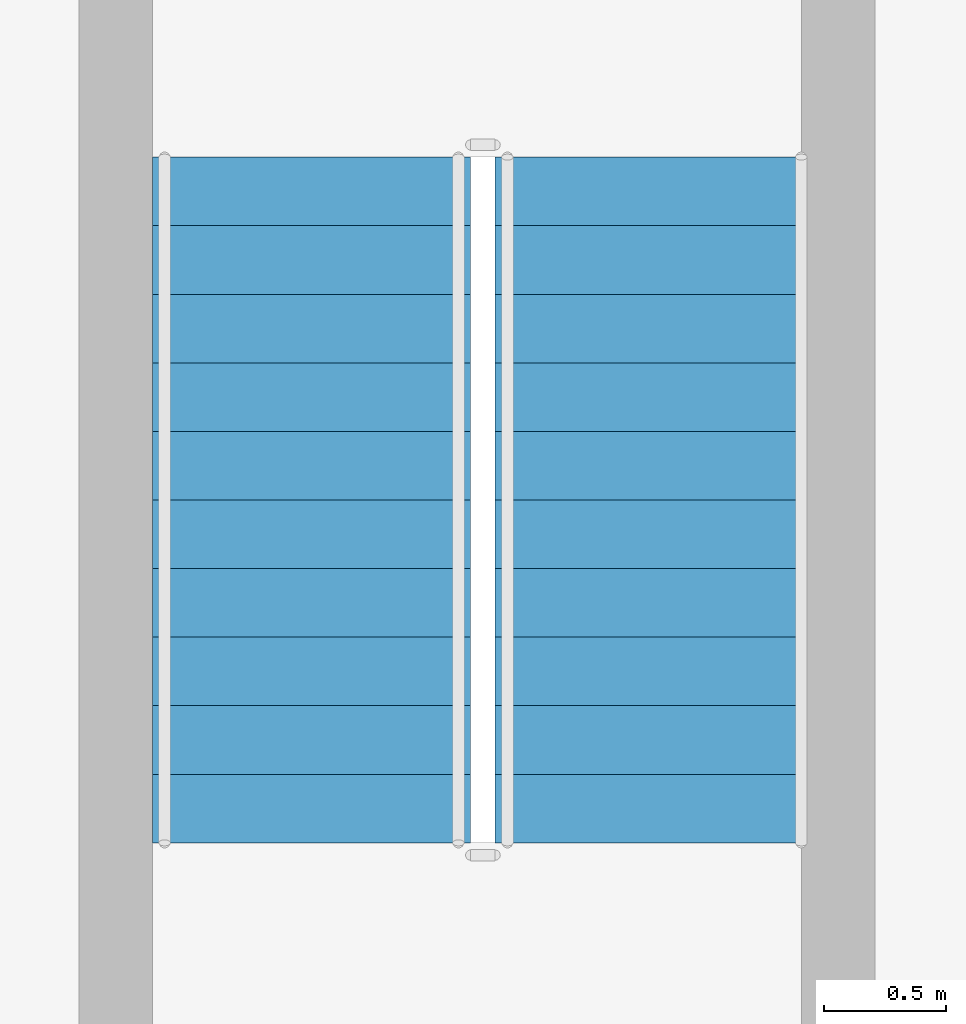
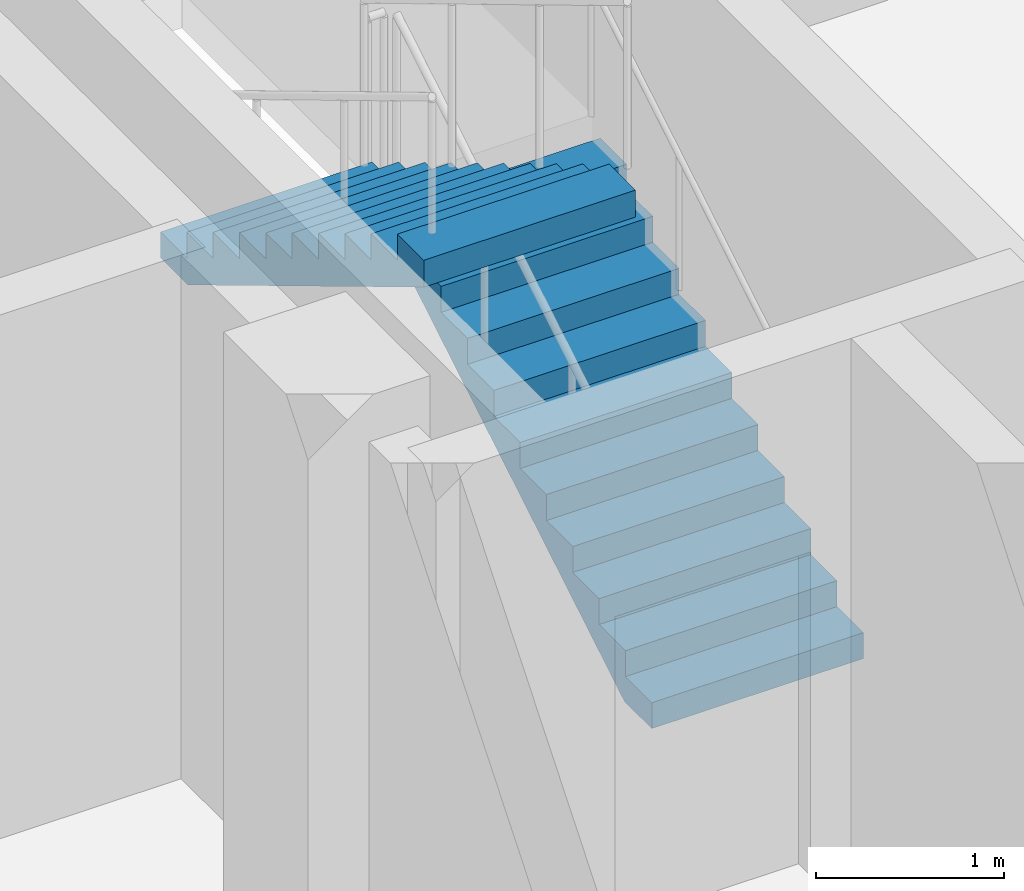
# One storey, part 16 of 21: 2 stair flights, 1 element without a shape of its own.
"""IFC4 building model written with IfcOpenShell, lengths in metres."""

from ifc_helpers import new_model, si_unit, direction, frame, origin, place, context, subcontext, project, spatial, triangles, source, transform, mapped, material, type_object, element, aggregate, save


model = new_model("IFC4")

# Units and contexts
model_context = context("Model", 3, precision=1e-05, world=origin(), true_north=direction((0.0, 1.0)))
body_context = subcontext(model_context, "Body", "Model", "MODEL_VIEW")
ifc_project = project(units=[si_unit("LENGTHUNIT", "METRE"), si_unit("AREAUNIT", "SQUARE_METRE"), si_unit("VOLUMEUNIT", "CUBIC_METRE"), si_unit("PLANEANGLEUNIT", "RADIAN"), si_unit("MASSUNIT", "GRAM", prefix="KILO")], contexts=[model_context])

# Site, building, storey
site_placement = place(None, origin())
site = spatial("IfcSite", under=ifc_project, at=site_placement, CompositionType="ELEMENT")
building_placement = place(site_placement, origin())
building = spatial("IfcBuilding", under=site, at=building_placement, Name="Ogive Portal Towers", CompositionType="ELEMENT")
storey_placement = place(building_placement, frame((0.0, 0.0, 157.0)))
storey = spatial("IfcBuildingStorey", under=building, at=storey_placement, Name="L38", CompositionType="ELEMENT", Elevation=157.0)

# Stair, stair flights
ifc_material = material(Name="Concrete C40/50", Category="concrete")
stair_type = type_object("IfcStairType", Name="INT-STAIR", PredefinedType="HALF_TURN_STAIR", material=ifc_material)
stair_placement = place(storey_placement, origin())
stair = element("IfcStair", 1, at=stair_placement, inside=storey, type_object=stair_type, Name="L38 Exit Stair ST-A3", PredefinedType="HALF_TURN_STAIR")
stair_flight_type = type_object("IfcStairFlightType", Name="INT-FLIGHT", PredefinedType="STRAIGHT", material=ifc_material)
shared_shape = source(origin(), body_context, "Body", "Tessellation", [
    triangles([(0.0, -0.650146484375, 0.0), (0.0, -0.376220703125, 0.0), (0.0, -0.192626953125, 0.0), (0.0, -0.081298828125, 0.0), (0.0, -0.024169921875, 0.0), (0.0, -0.003173828125, 0.0), (0.0, 0.0, 0.0), (0.0, 0.0029296875, 0.0), (0.0, 0.02392578125, 0.0), (0.0, 0.0810546875, 0.0), (0.0, 0.1923828125, 0.0), (0.0, 0.3759765625, 0.0), (0.0, 0.64990234375, 0.0), (0.0, -0.650146484375, 0.168212890625), (0.0, -0.376220703125, 0.168212890625), (0.0, -0.192626953125, 0.168212890625), (0.0, -0.081298828125, 0.168212890625), (0.0, -0.024169921875, 0.168212890625), (0.0, -0.003173828125, 0.168212890625), (0.0, 0.0, 0.168212890625), (0.0, 0.0029296875, 0.168212890625), (0.0, 0.02392578125, 0.168212890625), (0.0, 0.0810546875, 0.168212890625), (0.0, 0.1923828125, 0.168212890625), (0.0, 0.3759765625, 0.168212890625), (0.0, 0.64990234375, 0.168212890625), (0.280029296875, -0.650146484375, 0.168212890625), (0.280029296875, -0.376220703125, 0.168212890625), (0.280029296875, -0.192626953125, 0.168212890625), (0.280029296875, -0.081298828125, 0.168212890625), (0.280029296875, -0.024169921875, 0.168212890625), (0.280029296875, -0.003173828125, 0.168212890625), (0.280029296875, 0.0, 0.168212890625), (0.280029296875, 0.0029296875, 0.168212890625), (0.280029296875, 0.02392578125, 0.168212890625), (0.280029296875, 0.0810546875, 0.168212890625), (0.280029296875, 0.1923828125, 0.168212890625), (0.280029296875, 0.3759765625, 0.168212890625), (0.280029296875, 0.64990234375, 0.168212890625), (0.280029296875, -0.650146484375, 0.33642578125), (0.280029296875, -0.376220703125, 0.33642578125), (0.280029296875, -0.192626953125, 0.33642578125), (0.280029296875, -0.081298828125, 0.33642578125), (0.280029296875, -0.024169921875, 0.33642578125), (0.280029296875, -0.003173828125, 0.33642578125), (0.280029296875, 0.0, 0.33642578125), (0.280029296875, 0.0029296875, 0.33642578125), (0.280029296875, 0.02392578125, 0.33642578125), (0.280029296875, 0.0810546875, 0.33642578125), (0.280029296875, 0.1923828125, 0.33642578125), (0.280029296875, 0.3759765625, 0.33642578125), (0.280029296875, 0.64990234375, 0.33642578125), (0.56005859375, -0.650146484375, 0.33642578125), (0.56005859375, -0.376220703125, 0.33642578125), (0.56005859375, -0.192626953125, 0.33642578125), (0.56005859375, -0.081298828125, 0.33642578125), (0.56005859375, -0.024169921875, 0.33642578125), (0.56005859375, -0.003173828125, 0.33642578125), (0.56005859375, 0.0, 0.33642578125), (0.56005859375, 0.0029296875, 0.33642578125), (0.56005859375, 0.02392578125, 0.33642578125), (0.56005859375, 0.0810546875, 0.33642578125), (0.56005859375, 0.1923828125, 0.33642578125), (0.56005859375, 0.3759765625, 0.33642578125), (0.56005859375, 0.64990234375, 0.33642578125), (0.56005859375, -0.650146484375, 0.504638671875), (0.56005859375, -0.376220703125, 0.504638671875), (0.56005859375, -0.192626953125, 0.504638671875), (0.56005859375, -0.081298828125, 0.504638671875), (0.56005859375, -0.024169921875, 0.504638671875), (0.56005859375, -0.003173828125, 0.504638671875), (0.56005859375, 0.0, 0.504638671875), (0.56005859375, 0.0029296875, 0.504638671875), (0.56005859375, 0.02392578125, 0.504638671875), (0.56005859375, 0.0810546875, 0.504638671875), (0.56005859375, 0.1923828125, 0.504638671875), (0.56005859375, 0.3759765625, 0.504638671875), (0.56005859375, 0.64990234375, 0.504638671875), (0.840087890625, -0.650146484375, 0.504638671875), (0.840087890625, -0.376220703125, 0.504638671875), (0.840087890625, -0.192626953125, 0.504638671875), (0.840087890625, -0.081298828125, 0.504638671875), (0.840087890625, -0.024169921875, 0.504638671875), (0.840087890625, -0.003173828125, 0.504638671875), (0.840087890625, 0.0, 0.504638671875), (0.840087890625, 0.0029296875, 0.504638671875), (0.840087890625, 0.02392578125, 0.504638671875), (0.840087890625, 0.0810546875, 0.504638671875), (0.840087890625, 0.1923828125, 0.504638671875), (0.840087890625, 0.3759765625, 0.504638671875), (0.840087890625, 0.64990234375, 0.504638671875), (0.840087890625, -0.650146484375, 0.672607421875), (0.840087890625, -0.376220703125, 0.672607421875), (0.840087890625, -0.192626953125, 0.672607421875), (0.840087890625, -0.081298828125, 0.672607421875), (0.840087890625, -0.024169921875, 0.672607421875), (0.840087890625, -0.003173828125, 0.672607421875), (0.840087890625, 0.0, 0.672607421875), (0.840087890625, 0.0029296875, 0.672607421875), (0.840087890625, 0.02392578125, 0.672607421875), (0.840087890625, 0.0810546875, 0.672607421875), (0.840087890625, 0.1923828125, 0.672607421875), (0.840087890625, 0.3759765625, 0.672607421875), (0.840087890625, 0.64990234375, 0.672607421875), (1.1201171875, -0.650146484375, 0.672607421875), (1.1201171875, -0.376220703125, 0.672607421875), (1.1201171875, -0.192626953125, 0.672607421875), (1.1201171875, -0.081298828125, 0.672607421875), (1.1201171875, -0.024169921875, 0.672607421875), (1.1201171875, -0.003173828125, 0.672607421875), (1.1201171875, 0.0, 0.672607421875), (1.1201171875, 0.0029296875, 0.672607421875), (1.1201171875, 0.02392578125, 0.672607421875), (1.1201171875, 0.0810546875, 0.672607421875), (1.1201171875, 0.1923828125, 0.672607421875), (1.1201171875, 0.3759765625, 0.672607421875), (1.1201171875, 0.64990234375, 0.672607421875), (1.1201171875, -0.650146484375, 0.8408203125), (1.1201171875, -0.376220703125, 0.8408203125), (1.1201171875, -0.192626953125, 0.8408203125), (1.1201171875, -0.081298828125, 0.8408203125), (1.1201171875, -0.024169921875, 0.8408203125), (1.1201171875, -0.003173828125, 0.8408203125), (1.1201171875, 0.0, 0.8408203125), (1.1201171875, 0.0029296875, 0.8408203125), (1.1201171875, 0.02392578125, 0.8408203125), (1.1201171875, 0.0810546875, 0.8408203125), (1.1201171875, 0.1923828125, 0.8408203125), (1.1201171875, 0.3759765625, 0.8408203125), (1.1201171875, 0.64990234375, 0.8408203125), (1.39990234375, -0.650146484375, 0.8408203125), (1.39990234375, -0.376220703125, 0.8408203125), (1.39990234375, -0.192626953125, 0.8408203125), (1.39990234375, -0.081298828125, 0.8408203125), (1.39990234375, -0.024169921875, 0.8408203125), (1.39990234375, -0.003173828125, 0.8408203125), (1.39990234375, 0.0, 0.8408203125), (1.39990234375, 0.0029296875, 0.8408203125), (1.39990234375, 0.02392578125, 0.8408203125), (1.39990234375, 0.0810546875, 0.8408203125), (1.39990234375, 0.1923828125, 0.8408203125), (1.39990234375, 0.3759765625, 0.8408203125), (1.39990234375, 0.64990234375, 0.8408203125), (1.39990234375, -0.650146484375, 1.009033203125), (1.39990234375, -0.376220703125, 1.009033203125), (1.39990234375, -0.192626953125, 1.009033203125), (1.39990234375, -0.081298828125, 1.009033203125), (1.39990234375, -0.024169921875, 1.009033203125), (1.39990234375, -0.003173828125, 1.009033203125), (1.39990234375, 0.0, 1.009033203125), (1.39990234375, 0.0029296875, 1.009033203125), (1.39990234375, 0.02392578125, 1.009033203125), (1.39990234375, 0.0810546875, 1.009033203125), (1.39990234375, 0.1923828125, 1.009033203125), (1.39990234375, 0.3759765625, 1.009033203125), (1.39990234375, 0.64990234375, 1.009033203125), (1.679931640625, -0.650146484375, 1.009033203125), (1.679931640625, -0.376220703125, 1.009033203125), (1.679931640625, -0.192626953125, 1.009033203125), (1.679931640625, -0.081298828125, 1.009033203125), (1.679931640625, -0.024169921875, 1.009033203125), (1.679931640625, -0.003173828125, 1.009033203125), (1.679931640625, 0.0, 1.009033203125), (1.679931640625, 0.0029296875, 1.009033203125), (1.679931640625, 0.02392578125, 1.009033203125), (1.679931640625, 0.0810546875, 1.009033203125), (1.679931640625, 0.1923828125, 1.009033203125), (1.679931640625, 0.3759765625, 1.009033203125), (1.679931640625, 0.64990234375, 1.009033203125), (1.679931640625, -0.650146484375, 1.17724609375), (1.679931640625, -0.376220703125, 1.17724609375), (1.679931640625, -0.192626953125, 1.17724609375), (1.679931640625, -0.081298828125, 1.17724609375), (1.679931640625, -0.024169921875, 1.17724609375), (1.679931640625, -0.003173828125, 1.17724609375), (1.679931640625, 0.0, 1.17724609375), (1.679931640625, 0.0029296875, 1.17724609375), (1.679931640625, 0.02392578125, 1.17724609375), (1.679931640625, 0.0810546875, 1.17724609375), (1.679931640625, 0.1923828125, 1.17724609375), (1.679931640625, 0.3759765625, 1.17724609375), (1.679931640625, 0.64990234375, 1.17724609375), (1.9599609375, -0.650146484375, 1.17724609375), (1.9599609375, -0.376220703125, 1.17724609375), (1.9599609375, -0.192626953125, 1.17724609375), (1.9599609375, -0.081298828125, 1.17724609375), (1.9599609375, -0.024169921875, 1.17724609375), (1.9599609375, -0.003173828125, 1.17724609375), (1.9599609375, 0.0, 1.17724609375), (1.9599609375, 0.0029296875, 1.17724609375), (1.9599609375, 0.02392578125, 1.17724609375), (1.9599609375, 0.0810546875, 1.17724609375), (1.9599609375, 0.1923828125, 1.17724609375), (1.9599609375, 0.3759765625, 1.17724609375), (1.9599609375, 0.64990234375, 1.17724609375), (1.9599609375, -0.650146484375, 1.345458984375), (1.9599609375, -0.376220703125, 1.345458984375), (1.9599609375, -0.192626953125, 1.345458984375), (1.9599609375, -0.081298828125, 1.345458984375), (1.9599609375, -0.024169921875, 1.345458984375), (1.9599609375, -0.003173828125, 1.345458984375), (1.9599609375, 0.0, 1.345458984375), (1.9599609375, 0.0029296875, 1.345458984375), (1.9599609375, 0.02392578125, 1.345458984375), (1.9599609375, 0.0810546875, 1.345458984375), (1.9599609375, 0.1923828125, 1.345458984375), (1.9599609375, 0.3759765625, 1.345458984375), (1.9599609375, 0.64990234375, 1.345458984375), (2.239990234375, -0.650146484375, 1.345458984375), (2.239990234375, -0.376220703125, 1.345458984375), (2.239990234375, -0.192626953125, 1.345458984375), (2.239990234375, -0.081298828125, 1.345458984375), (2.239990234375, -0.024169921875, 1.345458984375), (2.239990234375, -0.003173828125, 1.345458984375), (2.239990234375, 0.0, 1.345458984375), (2.239990234375, 0.0029296875, 1.345458984375), (2.239990234375, 0.02392578125, 1.345458984375), (2.239990234375, 0.0810546875, 1.345458984375), (2.239990234375, 0.1923828125, 1.345458984375), (2.239990234375, 0.3759765625, 1.345458984375), (2.239990234375, 0.64990234375, 1.345458984375), (2.239990234375, -0.650146484375, 1.513671875), (2.239990234375, -0.376220703125, 1.513671875), (2.239990234375, -0.192626953125, 1.513671875), (2.239990234375, -0.081298828125, 1.513671875), (2.239990234375, -0.024169921875, 1.513671875), (2.239990234375, -0.003173828125, 1.513671875), (2.239990234375, 0.0, 1.513671875), (2.239990234375, 0.0029296875, 1.513671875), (2.239990234375, 0.02392578125, 1.513671875), (2.239990234375, 0.0810546875, 1.513671875), (2.239990234375, 0.1923828125, 1.513671875), (2.239990234375, 0.3759765625, 1.513671875), (2.239990234375, 0.64990234375, 1.513671875), (2.52001953125, -0.650146484375, 1.513671875), (2.52001953125, -0.376220703125, 1.513671875), (2.52001953125, -0.192626953125, 1.513671875), (2.52001953125, -0.081298828125, 1.513671875), (2.52001953125, -0.024169921875, 1.513671875), (2.52001953125, -0.003173828125, 1.513671875), (2.52001953125, 0.0, 1.513671875), (2.52001953125, 0.0029296875, 1.513671875), (2.52001953125, 0.02392578125, 1.513671875), (2.52001953125, 0.0810546875, 1.513671875), (2.52001953125, 0.1923828125, 1.513671875), (2.52001953125, 0.3759765625, 1.513671875), (2.52001953125, 0.64990234375, 1.513671875), (2.52001953125, -0.650146484375, 1.681884765625), (2.52001953125, -0.376220703125, 1.681884765625), (2.52001953125, -0.192626953125, 1.681884765625), (2.52001953125, -0.081298828125, 1.681884765625), (2.52001953125, -0.024169921875, 1.681884765625), (2.52001953125, -0.003173828125, 1.681884765625), (2.52001953125, 0.0, 1.681884765625), (2.52001953125, 0.0029296875, 1.681884765625), (2.52001953125, 0.02392578125, 1.681884765625), (2.52001953125, 0.0810546875, 1.681884765625), (2.52001953125, 0.1923828125, 1.681884765625), (2.52001953125, 0.3759765625, 1.681884765625), (2.52001953125, 0.64990234375, 1.681884765625), (2.800048828125, -0.650146484375, 1.681884765625), (2.800048828125, -0.376220703125, 1.681884765625), (2.800048828125, -0.192626953125, 1.681884765625), (2.800048828125, -0.081298828125, 1.681884765625), (2.800048828125, -0.024169921875, 1.681884765625), (2.800048828125, -0.003173828125, 1.681884765625), (2.800048828125, 0.0, 1.681884765625), (2.800048828125, 0.0029296875, 1.681884765625), (2.800048828125, 0.02392578125, 1.681884765625), (2.800048828125, 0.0810546875, 1.681884765625), (2.800048828125, 0.1923828125, 1.681884765625), (2.800048828125, 0.3759765625, 1.681884765625), (2.800048828125, 0.64990234375, 1.681884765625), (2.800048828125, -0.650146484375, 1.5068359375), (2.800048828125, -0.376220703125, 1.5068359375), (2.800048828125, -0.192626953125, 1.5068359375), (2.800048828125, -0.081298828125, 1.5068359375), (2.800048828125, -0.024169921875, 1.5068359375), (2.800048828125, -0.003173828125, 1.5068359375), (2.800048828125, 0.0, 1.5068359375), (2.800048828125, 0.0029296875, 1.5068359375), (2.800048828125, 0.02392578125, 1.5068359375), (2.800048828125, 0.0810546875, 1.5068359375), (2.800048828125, 0.1923828125, 1.5068359375), (2.800048828125, 0.3759765625, 1.5068359375), (2.800048828125, 0.64990234375, 1.5068359375), (0.291015625, -0.650146484375, 0.0), (0.291015625, -0.376220703125, 0.0), (0.291015625, -0.192626953125, 0.0), (0.291015625, -0.081298828125, 0.0), (0.291015625, -0.024169921875, 0.0), (0.291015625, -0.003173828125, 0.0), (0.291015625, 0.0, 0.0), (0.291015625, 0.0029296875, 0.0), (0.291015625, 0.02392578125, 0.0), (0.291015625, 0.0810546875, 0.0), (0.291015625, 0.1923828125, 0.0), (0.291015625, 0.3759765625, 0.0), (0.291015625, 0.64990234375, 0.0)], [[1, 14, 15], [1, 15, 2], [2, 15, 16], [2, 16, 3], [3, 16, 17], [3, 17, 4], [4, 17, 18], [4, 18, 5], [5, 18, 19], [5, 19, 6], [6, 19, 20], [6, 20, 7], [7, 20, 21], [7, 21, 8], [8, 21, 22], [8, 22, 9], [9, 22, 23], [9, 23, 10], [10, 23, 24], [10, 24, 11], [11, 24, 25], [11, 25, 12], [12, 25, 26], [12, 26, 13], [14, 27, 28], [14, 28, 15], [15, 28, 29], [15, 29, 16], [16, 29, 30], [16, 30, 17], [17, 30, 31], [17, 31, 18], [18, 31, 32], [18, 32, 19], [19, 32, 33], [19, 33, 20], [20, 33, 34], [20, 34, 21], [21, 34, 35], [21, 35, 22], [22, 35, 36], [22, 36, 23], [23, 36, 37], [23, 37, 24], [24, 37, 38], [24, 38, 25], [25, 38, 39], [25, 39, 26], [27, 40, 41], [27, 41, 28], [28, 41, 42], [28, 42, 29], [29, 42, 43], [29, 43, 30], [30, 43, 44], [30, 44, 31], [31, 44, 45], [31, 45, 32], [32, 45, 46], [32, 46, 33], [33, 46, 47], [33, 47, 34], [34, 47, 48], [34, 48, 35], [35, 48, 49], [35, 49, 36], [36, 49, 50], [36, 50, 37], [37, 50, 51], [37, 51, 38], [38, 51, 52], [38, 52, 39], [40, 53, 54], [40, 54, 41], [41, 54, 55], [41, 55, 42], [42, 55, 56], [42, 56, 43], [43, 56, 57], [43, 57, 44], [44, 57, 58], [44, 58, 45], [45, 58, 59], [45, 59, 46], [46, 59, 60], [46, 60, 47], [47, 60, 61], [47, 61, 48], [48, 61, 62], [48, 62, 49], [49, 62, 63], [49, 63, 50], [50, 63, 64], [50, 64, 51], [51, 64, 65], [51, 65, 52], [53, 66, 67], [53, 67, 54], [54, 67, 68], [54, 68, 55], [55, 68, 69], [55, 69, 56], [56, 69, 70], [56, 70, 57], [57, 70, 71], [57, 71, 58], [58, 71, 72], [58, 72, 59], [59, 72, 73], [59, 73, 60], [60, 73, 74], [60, 74, 61], [61, 74, 75], [61, 75, 62], [62, 75, 76], [62, 76, 63], [63, 76, 77], [63, 77, 64], [64, 77, 78], [64, 78, 65], [66, 79, 80], [66, 80, 67], [67, 80, 81], [67, 81, 68], [68, 81, 82], [68, 82, 69], [69, 82, 83], [69, 83, 70], [70, 83, 84], [70, 84, 71], [71, 84, 85], [71, 85, 72], [72, 85, 86], [72, 86, 73], [73, 86, 87], [73, 87, 74], [74, 87, 88], [74, 88, 75], [75, 88, 89], [75, 89, 76], [76, 89, 90], [76, 90, 77], [77, 90, 91], [77, 91, 78], [79, 92, 93], [79, 93, 80], [80, 93, 94], [80, 94, 81], [81, 94, 95], [81, 95, 82], [82, 95, 96], [82, 96, 83], [83, 96, 97], [83, 97, 84], [84, 97, 98], [84, 98, 85], [85, 98, 99], [85, 99, 86], [86, 99, 100], [86, 100, 87], [87, 100, 101], [87, 101, 88], [88, 101, 102], [88, 102, 89], [89, 102, 103], [89, 103, 90], [90, 103, 104], [90, 104, 91], [92, 105, 106], [92, 106, 93], [93, 106, 107], [93, 107, 94], [94, 107, 108], [94, 108, 95], [95, 108, 109], [95, 109, 96], [96, 109, 110], [96, 110, 97], [97, 110, 111], [97, 111, 98], [98, 111, 112], [98, 112, 99], [99, 112, 113], [99, 113, 100], [100, 113, 114], [100, 114, 101], [101, 114, 115], [101, 115, 102], [102, 115, 116], [102, 116, 103], [103, 116, 117], [103, 117, 104], [105, 118, 119], [105, 119, 106], [106, 119, 120], [106, 120, 107], [107, 120, 121], [107, 121, 108], [108, 121, 122], [108, 122, 109], [109, 122, 123], [109, 123, 110], [110, 123, 124], [110, 124, 111], [111, 124, 125], [111, 125, 112], [112, 125, 126], [112, 126, 113], [113, 126, 127], [113, 127, 114], [114, 127, 128], [114, 128, 115], [115, 128, 129], [115, 129, 116], [116, 129, 130], [116, 130, 117], [118, 131, 132], [118, 132, 119], [119, 132, 133], [119, 133, 120], [120, 133, 134], [120, 134, 121], [121, 134, 135], [121, 135, 122], [122, 135, 136], [122, 136, 123], [123, 136, 137], [123, 137, 124], [124, 137, 138], [124, 138, 125], [125, 138, 139], [125, 139, 126], [126, 139, 140], [126, 140, 127], [127, 140, 141], [127, 141, 128], [128, 141, 142], [128, 142, 129], [129, 142, 143], [129, 143, 130], [131, 144, 145], [131, 145, 132], [132, 145, 146], [132, 146, 133], [133, 146, 147], [133, 147, 134], [134, 147, 148], [134, 148, 135], [135, 148, 149], [135, 149, 136], [136, 149, 150], [136, 150, 137], [137, 150, 151], [137, 151, 138], [138, 151, 152], [138, 152, 139], [139, 152, 153], [139, 153, 140], [140, 153, 154], [140, 154, 141], [141, 154, 155], [141, 155, 142], [142, 155, 156], [142, 156, 143], [144, 157, 158], [144, 158, 145], [145, 158, 159], [145, 159, 146], [146, 159, 160], [146, 160, 147], [147, 160, 161], [147, 161, 148], [148, 161, 162], [148, 162, 149], [149, 162, 163], [149, 163, 150], [150, 163, 164], [150, 164, 151], [151, 164, 165], [151, 165, 152], [152, 165, 166], [152, 166, 153], [153, 166, 167], [153, 167, 154], [154, 167, 168], [154, 168, 155], [155, 168, 169], [155, 169, 156], [157, 170, 171], [157, 171, 158], [158, 171, 172], [158, 172, 159], [159, 172, 173], [159, 173, 160], [160, 173, 174], [160, 174, 161], [161, 174, 175], [161, 175, 162], [162, 175, 176], [162, 176, 163], [163, 176, 177], [163, 177, 164], [164, 177, 178], [164, 178, 165], [165, 178, 179], [165, 179, 166], [166, 179, 180], [166, 180, 167], [167, 180, 181], [167, 181, 168], [168, 181, 182], [168, 182, 169], [170, 183, 184], [170, 184, 171], [171, 184, 185], [171, 185, 172], [172, 185, 186], [172, 186, 173], [173, 186, 187], [173, 187, 174], [174, 187, 188], [174, 188, 175], [175, 188, 189], [175, 189, 176], [176, 189, 190], [176, 190, 177], [177, 190, 191], [177, 191, 178], [178, 191, 192], [178, 192, 179], [179, 192, 193], [179, 193, 180], [180, 193, 194], [180, 194, 181], [181, 194, 195], [181, 195, 182], [183, 196, 197], [183, 197, 184], [184, 197, 198], [184, 198, 185], [185, 198, 199], [185, 199, 186], [186, 199, 200], [186, 200, 187], [187, 200, 201], [187, 201, 188], [188, 201, 202], [188, 202, 189], [189, 202, 203], [189, 203, 190], [190, 203, 204], [190, 204, 191], [191, 204, 205], [191, 205, 192], [192, 205, 206], [192, 206, 193], [193, 206, 207], [193, 207, 194], [194, 207, 208], [194, 208, 195], [196, 209, 210], [196, 210, 197], [197, 210, 211], [197, 211, 198], [198, 211, 212], [198, 212, 199], [199, 212, 213], [199, 213, 200], [200, 213, 214], [200, 214, 201], [201, 214, 215], [201, 215, 202], [202, 215, 216], [202, 216, 203], [203, 216, 217], [203, 217, 204], [204, 217, 218], [204, 218, 205], [205, 218, 219], [205, 219, 206], [206, 219, 220], [206, 220, 207], [207, 220, 221], [207, 221, 208], [209, 222, 223], [209, 223, 210], [210, 223, 224], [210, 224, 211], [211, 224, 225], [211, 225, 212], [212, 225, 226], [212, 226, 213], [213, 226, 227], [213, 227, 214], [214, 227, 228], [214, 228, 215], [215, 228, 229], [215, 229, 216], [216, 229, 230], [216, 230, 217], [217, 230, 231], [217, 231, 218], [218, 231, 232], [218, 232, 219], [219, 232, 233], [219, 233, 220], [220, 233, 234], [220, 234, 221], [222, 235, 236], [222, 236, 223], [223, 236, 237], [223, 237, 224], [224, 237, 238], [224, 238, 225], [225, 238, 239], [225, 239, 226], [226, 239, 240], [226, 240, 227], [227, 240, 241], [227, 241, 228], [228, 241, 242], [228, 242, 229], [229, 242, 243], [229, 243, 230], [230, 243, 244], [230, 244, 231], [231, 244, 245], [231, 245, 232], [232, 245, 246], [232, 246, 233], [233, 246, 247], [233, 247, 234], [235, 248, 249], [235, 249, 236], [236, 249, 250], [236, 250, 237], [237, 250, 251], [237, 251, 238], [238, 251, 252], [238, 252, 239], [239, 252, 253], [239, 253, 240], [240, 253, 254], [240, 254, 241], [241, 254, 255], [241, 255, 242], [242, 255, 256], [242, 256, 243], [243, 256, 257], [243, 257, 244], [244, 257, 258], [244, 258, 245], [245, 258, 259], [245, 259, 246], [246, 259, 260], [246, 260, 247], [248, 261, 262], [248, 262, 249], [249, 262, 263], [249, 263, 250], [250, 263, 264], [250, 264, 251], [251, 264, 265], [251, 265, 252], [252, 265, 266], [252, 266, 253], [253, 266, 267], [253, 267, 254], [254, 267, 268], [254, 268, 255], [255, 268, 269], [255, 269, 256], [256, 269, 270], [256, 270, 257], [257, 270, 271], [257, 271, 258], [258, 271, 272], [258, 272, 259], [259, 272, 273], [259, 273, 260], [261, 274, 275], [261, 275, 262], [262, 275, 276], [262, 276, 263], [263, 276, 277], [263, 277, 264], [264, 277, 278], [264, 278, 265], [265, 278, 279], [265, 279, 266], [266, 279, 280], [266, 280, 267], [267, 280, 281], [267, 281, 268], [268, 281, 282], [268, 282, 269], [269, 282, 283], [269, 283, 270], [270, 283, 284], [270, 284, 271], [271, 284, 285], [271, 285, 272], [272, 285, 286], [272, 286, 273], [274, 287, 288], [274, 288, 275], [275, 288, 289], [275, 289, 276], [276, 289, 290], [276, 290, 277], [277, 290, 291], [277, 291, 278], [278, 291, 292], [278, 292, 279], [279, 292, 293], [279, 293, 280], [280, 293, 294], [280, 294, 281], [281, 294, 295], [281, 295, 282], [282, 295, 296], [282, 296, 283], [283, 296, 297], [283, 297, 284], [284, 297, 298], [284, 298, 285], [285, 298, 299], [285, 299, 286], [287, 1, 2], [287, 2, 288], [288, 2, 3], [288, 3, 289], [289, 3, 4], [289, 4, 290], [290, 4, 5], [290, 5, 291], [291, 5, 6], [291, 6, 292], [292, 6, 7], [292, 7, 293], [293, 7, 8], [293, 8, 294], [294, 8, 9], [294, 9, 295], [295, 9, 10], [295, 10, 296], [296, 10, 11], [296, 11, 297], [297, 11, 12], [297, 12, 298], [298, 12, 13], [298, 13, 299], [1, 287, 274], [13, 286, 299], [274, 261, 248], [286, 260, 273], [274, 248, 235], [286, 247, 260], [274, 235, 222], [286, 234, 247], [274, 222, 209], [286, 221, 234], [209, 196, 183], [221, 195, 208], [274, 209, 183], [286, 195, 221], [183, 170, 157], [195, 169, 182], [274, 183, 157], [286, 169, 195], [157, 144, 131], [169, 143, 156], [274, 157, 131], [286, 143, 169], [131, 118, 105], [143, 117, 130], [274, 131, 105], [286, 117, 143], [1, 274, 105], [13, 117, 286], [105, 92, 79], [117, 91, 104], [79, 66, 53], [91, 65, 78], [105, 79, 53], [117, 65, 91], [53, 40, 27], [65, 39, 52], [105, 53, 27], [117, 39, 65], [1, 105, 27], [13, 39, 117], [27, 14, 1], [39, 13, 26]], closed=True),
])
stair_flight_1_placement = place(storey_placement, frame((43.550048828125, 67.199951171875, 0.0), z_axis=(0.0, 0.0, 1.0), x_axis=(0.0, 1.0, 0.0)))
stair_flight_1 = element("IfcStairFlight", 2, at=stair_flight_1_placement, type_object=stair_flight_type, Name="ST-A3 flight 1", NumberOfRisers=11, NumberOfTreads=10, PredefinedType="STRAIGHT", RiserHeight=0.168181818, TreadLength=0.28, context=body_context, shape_type="MappedRepresentation", body=[
    mapped(shared_shape, transform((0.0, 0.0, 0.0), scale=1.0)),
])
stair_flight_2_placement = place(storey_placement, frame((42.14990234375, 70.0, 1.85009765625), z_axis=(0.0, 0.0, 1.0), x_axis=(0.0, -1.0, 0.0)))
stair_flight_2 = element("IfcStairFlight", 3, at=stair_flight_2_placement, type_object=stair_flight_type, Name="ST-A3 flight 2", NumberOfRisers=11, NumberOfTreads=10, PredefinedType="STRAIGHT", RiserHeight=0.168181818, TreadLength=0.28, context=body_context, shape_type="MappedRepresentation", body=[
    mapped(shared_shape, transform((0.0, 0.0, 0.0), scale=1.0)),
])
aggregate(stair, [stair_flight_1, stair_flight_2])

save(model, "model.ifc")
